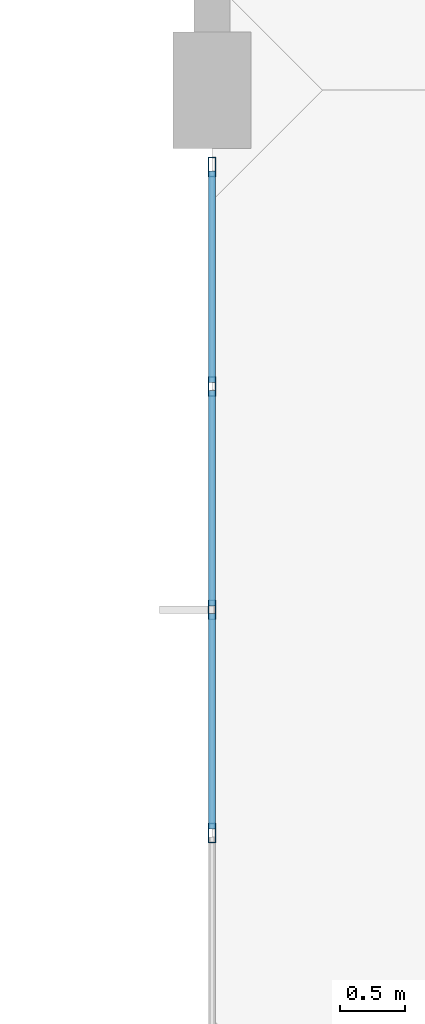
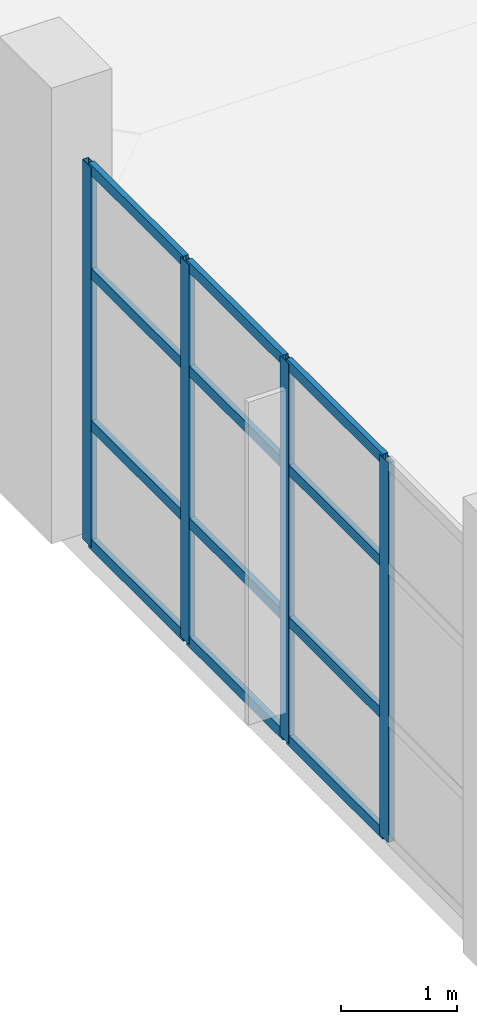
# One storey, part 15 of 63: 16 members, 1 element without a shape of its own.
"""IFC4 building model written with IfcOpenShell, lengths in metres."""

from ifc_helpers import new_model, si_unit, direction, frame, origin, origin_2d, place, context, subcontext, project, spatial, hollow_rectangle, extrude, material, layer, layer_set, material_profile, profile_set, type_object, element, aggregate, save


model = new_model("IFC4")

# Units and contexts
model_context = context("Model", 3, precision=1e-05, world=origin(), true_north=direction((0.0, 1.0)))
body_context = subcontext(model_context, "Body", "Model", "MODEL_VIEW")
ifc_project = project(units=[si_unit("LENGTHUNIT", "METRE"), si_unit("AREAUNIT", "SQUARE_METRE"), si_unit("VOLUMEUNIT", "CUBIC_METRE"), si_unit("PLANEANGLEUNIT", "RADIAN"), si_unit("MASSUNIT", "GRAM", prefix="KILO")], contexts=[model_context])

# Site, building, storey
site_placement = place(None, origin())
site = spatial("IfcSite", under=ifc_project, at=site_placement, CompositionType="ELEMENT")
building_placement = place(site_placement, origin())
building = spatial("IfcBuilding", under=site, at=building_placement, Name="Canggui Botanical Conservatory", CompositionType="ELEMENT")
storey_placement = place(building_placement, frame((0.0, 0.0, 10.199951171875)))
storey = spatial("IfcBuildingStorey", under=building, at=storey_placement, Name="L03", CompositionType="ELEMENT", Elevation=10.199951171875)

# Curtain wall, members
ifc_material = material(Name="Thermally Broken Aluminium", Category="aluminium")
ifc_layer = layer(ifc_material, 0.14990234375, Name="Thermally Broken Aluminium", Category="aluminium")
ifc_layer_set = layer_set([ifc_layer], Name="Thermally Broken Aluminium")
curtain_wall_type = type_object("IfcCurtainWallType", Name="CW-UNIT-C", PredefinedType="USERDEFINED", material=ifc_layer_set)
curtain_wall_placement = place(storey_placement, origin())
curtain_wall = element("IfcCurtainWall", 1, at=curtain_wall_placement, inside=storey, type_object=curtain_wall_type, Name="Facade Curtain Wall CW-TWR-L03-09", ObjectType="UNITISED CURTAIN WALL", PredefinedType="USERDEFINED")
ifc_material_profile_1 = material_profile(ifc_material, hollow_rectangle(XDim=0.06005859375, YDim=0.14990234375, WallThickness=0.00341796875, at=origin_2d()), Name="CWM 60x150x3.5")
ifc_profile_set_1 = profile_set([ifc_material_profile_1], Name="Thermally Broken Aluminium")
member_type_1 = type_object("IfcMemberType", Name="CWM-03", PredefinedType="MULLION", material=ifc_profile_set_1)
member_1_placement = place(storey_placement, frame((130.0, 44.280029296875, 0.0), z_axis=(0.0, 0.0, 1.0), x_axis=(-1.0, 0.0, 0.0)))
member_1 = element("IfcMember", 2, at=member_1_placement, type_object=member_type_1, Name="CW-03 mullion 2", PredefinedType="MULLION", context=body_context, shape_type="SweptSolid", body=[
    extrude(hollow_rectangle(XDim=0.06005859375, YDim=0.14990234375, WallThickness=0.00341796875, at=origin_2d()), origin(), (0.0, 0.0, 1.0), 4.0),
])
member_2_placement = place(storey_placement, frame((130.0, 46.0, 0.0), z_axis=(0.0, 0.0, 1.0), x_axis=(-1.0, 0.0, 0.0)))
member_2 = element("IfcMember", 3, at=member_2_placement, type_object=member_type_1, Name="CW-03 mullion 3", PredefinedType="MULLION", context=body_context, shape_type="SweptSolid", body=[
    extrude(hollow_rectangle(XDim=0.06005859375, YDim=0.14990234375, WallThickness=0.00341796875, at=origin_2d()), origin(), (0.0, 0.0, 1.0), 4.0),
])
member_3_placement = place(storey_placement, frame((130.0, 47.719970703125, 0.0), z_axis=(0.0, 0.0, 1.0), x_axis=(-1.0, 0.0, 0.0)))
member_3 = element("IfcMember", 4, at=member_3_placement, type_object=member_type_1, Name="CW-03 mullion 4", PredefinedType="MULLION", context=body_context, shape_type="SweptSolid", body=[
    extrude(hollow_rectangle(XDim=0.06005859375, YDim=0.14990234375, WallThickness=0.00341796875, at=origin_2d()), origin(), (0.0, 0.0, 1.0), 4.0),
])
member_4_placement = place(storey_placement, frame((130.0, 49.409912109375, 0.0), z_axis=(0.0, 0.0, 1.0), x_axis=(-1.0, 0.0, 0.0)))
member_4 = element("IfcMember", 5, at=member_4_placement, type_object=member_type_1, Name="CW-03 mullion 5", PredefinedType="MULLION", context=body_context, shape_type="SweptSolid", body=[
    extrude(hollow_rectangle(XDim=0.06005859375, YDim=0.14990234375, WallThickness=0.00341796875, at=origin_2d()), origin(), (0.0, 0.0, 1.0), 4.0),
])
ifc_material_profile_2 = material_profile(ifc_material, hollow_rectangle(XDim=0.054931640625, YDim=0.110107421875, WallThickness=0.0029296875, at=origin_2d()), Name="CWT 55x110x3")
ifc_profile_set_2 = profile_set([ifc_material_profile_2], Name="Thermally Broken Aluminium")
member_type_2 = type_object("IfcMemberType", Name="CWT-03", PredefinedType="USERDEFINED", material=ifc_profile_set_2)
member_5_placement = place(storey_placement, frame((130.0, 44.31005859375, 0.027587890625), z_axis=(0.0, 1.0, 0.0), x_axis=(-1.0, 0.0, 0.0)))
member_5 = element("IfcMember", 6, at=member_5_placement, type_object=member_type_2, Name="CW-03 transom 2.1", ObjectType="TRANSOM", PredefinedType="USERDEFINED", context=body_context, shape_type="SweptSolid", body=[
    extrude(hollow_rectangle(XDim=0.054931640625, YDim=0.110107421875, WallThickness=0.0029296875, at=origin_2d()), origin(), (0.0, 0.0, 1.0), 1.659912109375),
])
member_6_placement = place(storey_placement, frame((130.0, 44.31005859375, 1.280029296875), z_axis=(0.0, 1.0, 0.0), x_axis=(-1.0, 0.0, 0.0)))
member_6 = element("IfcMember", 7, at=member_6_placement, type_object=member_type_2, Name="CW-03 transom 2.2", ObjectType="TRANSOM", PredefinedType="USERDEFINED", context=body_context, shape_type="SweptSolid", body=[
    extrude(hollow_rectangle(XDim=0.054931640625, YDim=0.110107421875, WallThickness=0.0029296875, at=origin_2d()), origin(), (0.0, 0.0, 1.0), 1.659912109375),
])
member_7_placement = place(storey_placement, frame((130.0, 44.31005859375, 2.880126953125), z_axis=(0.0, 1.0, 0.0), x_axis=(-1.0, 0.0, 0.0)))
member_7 = element("IfcMember", 8, at=member_7_placement, type_object=member_type_2, Name="CW-03 transom 2.3", ObjectType="TRANSOM", PredefinedType="USERDEFINED", context=body_context, shape_type="SweptSolid", body=[
    extrude(hollow_rectangle(XDim=0.054931640625, YDim=0.110107421875, WallThickness=0.0029296875, at=origin_2d()), origin(), (0.0, 0.0, 1.0), 1.659912109375),
])
member_8_placement = place(storey_placement, frame((130.0, 44.31005859375, 3.97265625), z_axis=(0.0, 1.0, 0.0), x_axis=(-1.0, 0.0, 0.0)))
member_8 = element("IfcMember", 9, at=member_8_placement, type_object=member_type_2, Name="CW-03 transom 2.4", ObjectType="TRANSOM", PredefinedType="USERDEFINED", context=body_context, shape_type="SweptSolid", body=[
    extrude(hollow_rectangle(XDim=0.054931640625, YDim=0.110107421875, WallThickness=0.0029296875, at=origin_2d()), origin(), (0.0, 0.0, 1.0), 1.659912109375),
])
member_9_placement = place(storey_placement, frame((130.0, 46.030029296875, 0.027587890625), z_axis=(0.0, 1.0, 0.0), x_axis=(-1.0, 0.0, 0.0)))
member_9 = element("IfcMember", 10, at=member_9_placement, type_object=member_type_2, Name="CW-03 transom 3.1", ObjectType="TRANSOM", PredefinedType="USERDEFINED", context=body_context, shape_type="SweptSolid", body=[
    extrude(hollow_rectangle(XDim=0.054931640625, YDim=0.110107421875, WallThickness=0.0029296875, at=origin_2d()), origin(), (0.0, 0.0, 1.0), 1.659912109375),
])
member_10_placement = place(storey_placement, frame((130.0, 46.030029296875, 1.280029296875), z_axis=(0.0, 1.0, 0.0), x_axis=(-1.0, 0.0, 0.0)))
member_10 = element("IfcMember", 11, at=member_10_placement, type_object=member_type_2, Name="CW-03 transom 3.2", ObjectType="TRANSOM", PredefinedType="USERDEFINED", context=body_context, shape_type="SweptSolid", body=[
    extrude(hollow_rectangle(XDim=0.054931640625, YDim=0.110107421875, WallThickness=0.0029296875, at=origin_2d()), origin(), (0.0, 0.0, 1.0), 1.659912109375),
])
member_11_placement = place(storey_placement, frame((130.0, 46.030029296875, 2.880126953125), z_axis=(0.0, 1.0, 0.0), x_axis=(-1.0, 0.0, 0.0)))
member_11 = element("IfcMember", 12, at=member_11_placement, type_object=member_type_2, Name="CW-03 transom 3.3", ObjectType="TRANSOM", PredefinedType="USERDEFINED", context=body_context, shape_type="SweptSolid", body=[
    extrude(hollow_rectangle(XDim=0.054931640625, YDim=0.110107421875, WallThickness=0.0029296875, at=origin_2d()), origin(), (0.0, 0.0, 1.0), 1.659912109375),
])
member_12_placement = place(storey_placement, frame((130.0, 46.030029296875, 3.97265625), z_axis=(0.0, 1.0, 0.0), x_axis=(-1.0, 0.0, 0.0)))
member_12 = element("IfcMember", 13, at=member_12_placement, type_object=member_type_2, Name="CW-03 transom 3.4", ObjectType="TRANSOM", PredefinedType="USERDEFINED", context=body_context, shape_type="SweptSolid", body=[
    extrude(hollow_rectangle(XDim=0.054931640625, YDim=0.110107421875, WallThickness=0.0029296875, at=origin_2d()), origin(), (0.0, 0.0, 1.0), 1.659912109375),
])
member_13_placement = place(storey_placement, frame((130.0, 47.75, 0.027587890625), z_axis=(0.0, 1.0, 0.0), x_axis=(-1.0, 0.0, 0.0)))
member_13 = element("IfcMember", 14, at=member_13_placement, type_object=member_type_2, Name="CW-03 transom 4.1", ObjectType="TRANSOM", PredefinedType="USERDEFINED", context=body_context, shape_type="SweptSolid", body=[
    extrude(hollow_rectangle(XDim=0.054931640625, YDim=0.110107421875, WallThickness=0.0029296875, at=origin_2d()), origin(), (0.0, 0.0, 1.0), 1.6298828125),
])
member_14_placement = place(storey_placement, frame((130.0, 47.75, 1.280029296875), z_axis=(0.0, 1.0, 0.0), x_axis=(-1.0, 0.0, 0.0)))
member_14 = element("IfcMember", 15, at=member_14_placement, type_object=member_type_2, Name="CW-03 transom 4.2", ObjectType="TRANSOM", PredefinedType="USERDEFINED", context=body_context, shape_type="SweptSolid", body=[
    extrude(hollow_rectangle(XDim=0.054931640625, YDim=0.110107421875, WallThickness=0.0029296875, at=origin_2d()), origin(), (0.0, 0.0, 1.0), 1.6298828125),
])
member_15_placement = place(storey_placement, frame((130.0, 47.75, 2.880126953125), z_axis=(0.0, 1.0, 0.0), x_axis=(-1.0, 0.0, 0.0)))
member_15 = element("IfcMember", 16, at=member_15_placement, type_object=member_type_2, Name="CW-03 transom 4.3", ObjectType="TRANSOM", PredefinedType="USERDEFINED", context=body_context, shape_type="SweptSolid", body=[
    extrude(hollow_rectangle(XDim=0.054931640625, YDim=0.110107421875, WallThickness=0.0029296875, at=origin_2d()), origin(), (0.0, 0.0, 1.0), 1.6298828125),
])
member_16_placement = place(storey_placement, frame((130.0, 47.75, 3.97265625), z_axis=(0.0, 1.0, 0.0), x_axis=(-1.0, 0.0, 0.0)))
member_16 = element("IfcMember", 17, at=member_16_placement, type_object=member_type_2, Name="CW-03 transom 4.4", ObjectType="TRANSOM", PredefinedType="USERDEFINED", context=body_context, shape_type="SweptSolid", body=[
    extrude(hollow_rectangle(XDim=0.054931640625, YDim=0.110107421875, WallThickness=0.0029296875, at=origin_2d()), origin(), (0.0, 0.0, 1.0), 1.6298828125),
])
aggregate(curtain_wall, [member_1, member_2, member_3, member_4, member_5, member_6, member_7, member_8, member_9, member_10, member_11, member_12, member_13, member_14, member_15, member_16])

save(model, "model.ifc")
